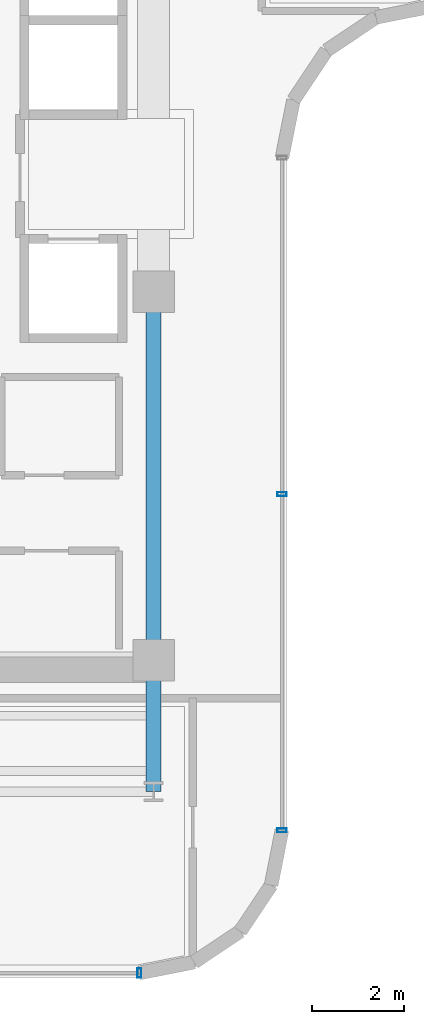
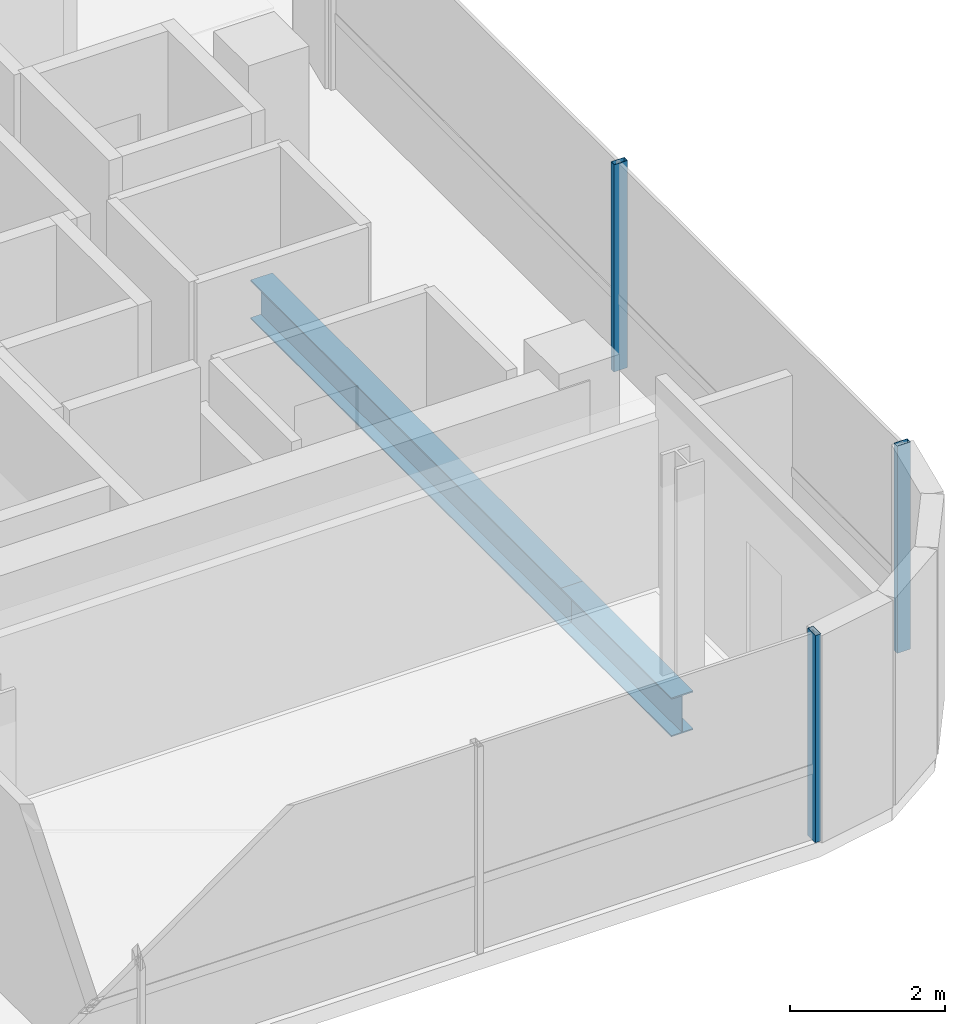
# One storey, part 5 of 24: 3 members, 2 beams, 2 elements without a shape of their own.
"""IFC4 building model written with IfcOpenShell, lengths in metres."""

from ifc_helpers import new_model, si_unit, direction, frame, origin, origin_2d, place, context, subcontext, project, spatial, hollow_rectangle, i_section, extrude, source, transform, mapped, material, material_profile, profile_set, type_object, element, aggregate, save


model = new_model("IFC4")

# Units and contexts
model_context = context("Model", 3, precision=1e-05, world=origin(), true_north=direction((0.0, 1.0)))
body_context = subcontext(model_context, "Body", "Model", "MODEL_VIEW")
ifc_project = project(units=[si_unit("LENGTHUNIT", "METRE"), si_unit("AREAUNIT", "SQUARE_METRE"), si_unit("VOLUMEUNIT", "CUBIC_METRE"), si_unit("PLANEANGLEUNIT", "RADIAN"), si_unit("MASSUNIT", "GRAM", prefix="KILO")], contexts=[model_context])

# Site, building, storey
site_placement = place(None, origin())
site = spatial("IfcSite", under=ifc_project, at=site_placement, CompositionType="ELEMENT")
building_placement = place(site_placement, origin())
building = spatial("IfcBuilding", under=site, at=building_placement, Name="Valdorenza Pilgrim Sanctuary Tower", CompositionType="ELEMENT")
storey_placement = place(building_placement, frame((0.0, 0.0, 205.5)))
storey = spatial("IfcBuildingStorey", under=building, at=storey_placement, Name="L52", CompositionType="ELEMENT", Elevation=205.5)

# Beams
ifc_material_1 = material(Name="Steel ASTM A992 Grade 50", Category="steel")
ifc_material_profile_1 = material_profile(ifc_material_1, i_section(OverallWidth=0.323974609375, OverallDepth=0.611083984375, WebThickness=0.0126953125, FlangeThickness=0.01904296875, at=origin_2d()), Name="W24X104")
ifc_profile_set_1 = profile_set([ifc_material_profile_1], Name="Steel ASTM A992 Grade 50")
beam_type = type_object("IfcBeamType", Name="STR-BM-GRD-W24B", PredefinedType="BEAM", material=ifc_profile_set_1)
shared_shape_1 = source(origin(), body_context, "Body", "SweptSolid", [
    extrude(i_section(OverallWidth=0.323974609375, OverallDepth=0.611083984375, WebThickness=0.0126953125, FlangeThickness=0.01904296875, at=origin_2d()), origin(), (0.0, 0.0, 1.0), 8.0),
])
beam_1_placement = place(storey_placement, frame((-12.39990234375, -10.60009765625, -0.54541015625), z_axis=(0.0, 1.0, 0.0), x_axis=(-1.0, 0.0, 0.0)))
element("IfcBeam", 1, at=beam_1_placement, inside=storey, type_object=beam_type, Name="L52 Core Tie Girder CA-E-S1M0", PredefinedType="BEAM", context=body_context, shape_type="MappedRepresentation", body=[
    mapped(shared_shape_1, transform((0.0, 0.0, 0.0), x_axis=(1.0, 0.0, 0.0), y_axis=(0.0, 1.0, 0.0), z_axis=(0.0, 0.0, 1.0), scale=1.0)),
])
shared_shape_2 = source(origin(), body_context, "Body", "SweptSolid", [
    extrude(i_section(OverallWidth=0.323974609375, OverallDepth=0.611083984375, WebThickness=0.0126953125, FlangeThickness=0.01904296875, at=origin_2d()), origin(), (0.0, 0.0, 1.0), 2.849853515625),
])
beam_2_placement = place(storey_placement, frame((-12.39990234375, -13.449951171875, -0.54541015625), z_axis=(0.0, 1.0, 0.0), x_axis=(-1.0, 0.0, 0.0)))
element("IfcBeam", 2, at=beam_2_placement, inside=storey, type_object=beam_type, Name="L52 Floor Girder WA-S-LE", PredefinedType="BEAM", context=body_context, shape_type="MappedRepresentation", body=[
    mapped(shared_shape_2, transform((0.0, 0.0, 0.0), x_axis=(1.0, 0.0, 0.0), y_axis=(0.0, 1.0, 0.0), z_axis=(0.0, 0.0, 1.0), scale=1.0)),
])

# Curtain wall, members
ifc_material_2 = material(Name="Curtain-wall IGU glazing", Category="glass")
curtain_wall_type = type_object("IfcCurtainWallType", Name="CW-SYS-02", PredefinedType="NOTDEFINED", material=ifc_material_2)
curtain_wall_1_placement = place(storey_placement, origin())
curtain_wall_1 = element("IfcCurtainWall", 3, at=curtain_wall_1_placement, inside=storey, type_object=curtain_wall_type, Name="L52 Curtain Wall CW-L52-1-21", PredefinedType="NOTDEFINED")
ifc_material_3 = material(Name="Anodised aluminium AW-6060", Category="aluminium")
ifc_material_profile_2 = material_profile(ifc_material_3, hollow_rectangle(XDim=0.0849609375, YDim=0.199951171875, WallThickness=0.0048828125, at=origin_2d()), Name="ALU-M 200x85x5")
ifc_profile_set_2 = profile_set([ifc_material_profile_2], Name="Anodised aluminium AW-6060")
member_type = type_object("IfcMemberType", Name="CW-MUL-02", PredefinedType="MULLION", material=ifc_profile_set_2)
shared_shape_3 = source(origin(), body_context, "Body", "SweptSolid", [
    extrude(hollow_rectangle(XDim=0.0849609375, YDim=0.199951171875, WallThickness=0.0048828125, at=origin_2d()), origin(), (0.0, 0.0, 1.0), 3.260009765625),
])
member_1_placement = place(storey_placement, frame((-9.610107421875, -6.9892578125, 0.0), z_axis=(0.0, 0.0, 1.0), x_axis=(0.0, -1.0, 0.0)))
member_1 = element("IfcMember", 4, at=member_1_placement, type_object=member_type, Name="CW-L52-1-21 Mullion 2", PredefinedType="MULLION", context=body_context, shape_type="MappedRepresentation", body=[
    mapped(shared_shape_3, transform((0.0, 0.0, 0.0), x_axis=(1.0, 0.0, 0.0), y_axis=(0.0, 1.0, 0.0), z_axis=(0.0, 0.0, 1.0), scale=1.0)),
])
member_2_placement = place(storey_placement, frame((-9.610107421875, -14.289306640625, 0.0), z_axis=(0.0, 0.0, 1.0), x_axis=(0.0, -1.0, 0.0)))
member_2 = element("IfcMember", 5, at=member_2_placement, type_object=member_type, Name="CW-L52-1-21 Mullion 3", PredefinedType="MULLION", context=body_context, shape_type="MappedRepresentation", body=[
    mapped(shared_shape_3, transform((0.0, 0.0, 0.0), x_axis=(1.0, 0.0, 0.0), y_axis=(0.0, 1.0, 0.0), z_axis=(0.0, 0.0, 1.0), scale=1.0)),
])
aggregate(curtain_wall_1, [member_1, member_2])

# Curtain wall, member
curtain_wall_2_placement = place(storey_placement, origin())
curtain_wall_2 = element("IfcCurtainWall", 6, at=curtain_wall_2_placement, inside=storey, type_object=curtain_wall_type, Name="L52 Curtain Wall CW-L52-1-26", PredefinedType="NOTDEFINED")
member_3_placement = place(storey_placement, frame((-12.710693359375, -17.389892578125, 0.0), z_axis=(0.0, 0.0, 1.0), x_axis=(-1.0, 0.0, 0.0)))
member_3 = element("IfcMember", 7, at=member_3_placement, type_object=member_type, Name="CW-L52-1-26 Mullion 1", PredefinedType="MULLION", context=body_context, shape_type="MappedRepresentation", body=[
    mapped(shared_shape_3, transform((0.0, 0.0, 0.0), x_axis=(1.0, 0.0, 0.0), y_axis=(0.0, 1.0, 0.0), z_axis=(0.0, 0.0, 1.0), scale=1.0)),
])
aggregate(curtain_wall_2, [member_3])

save(model, "model.ifc")
